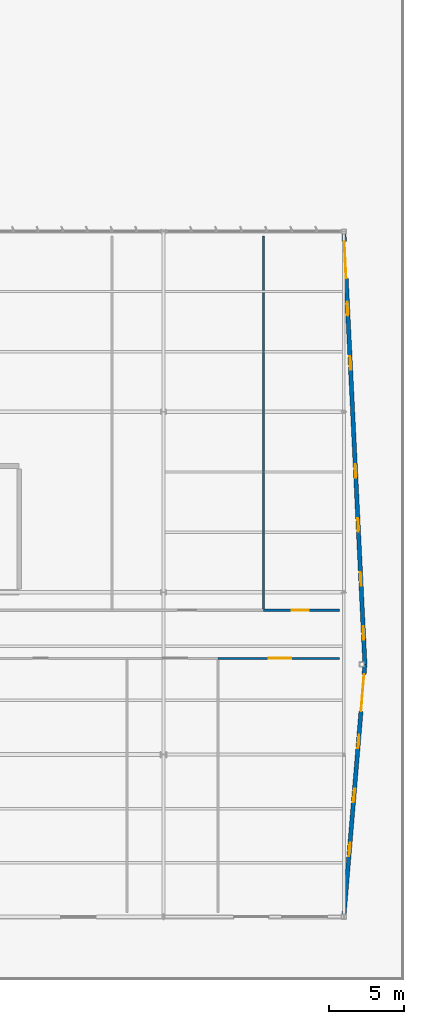
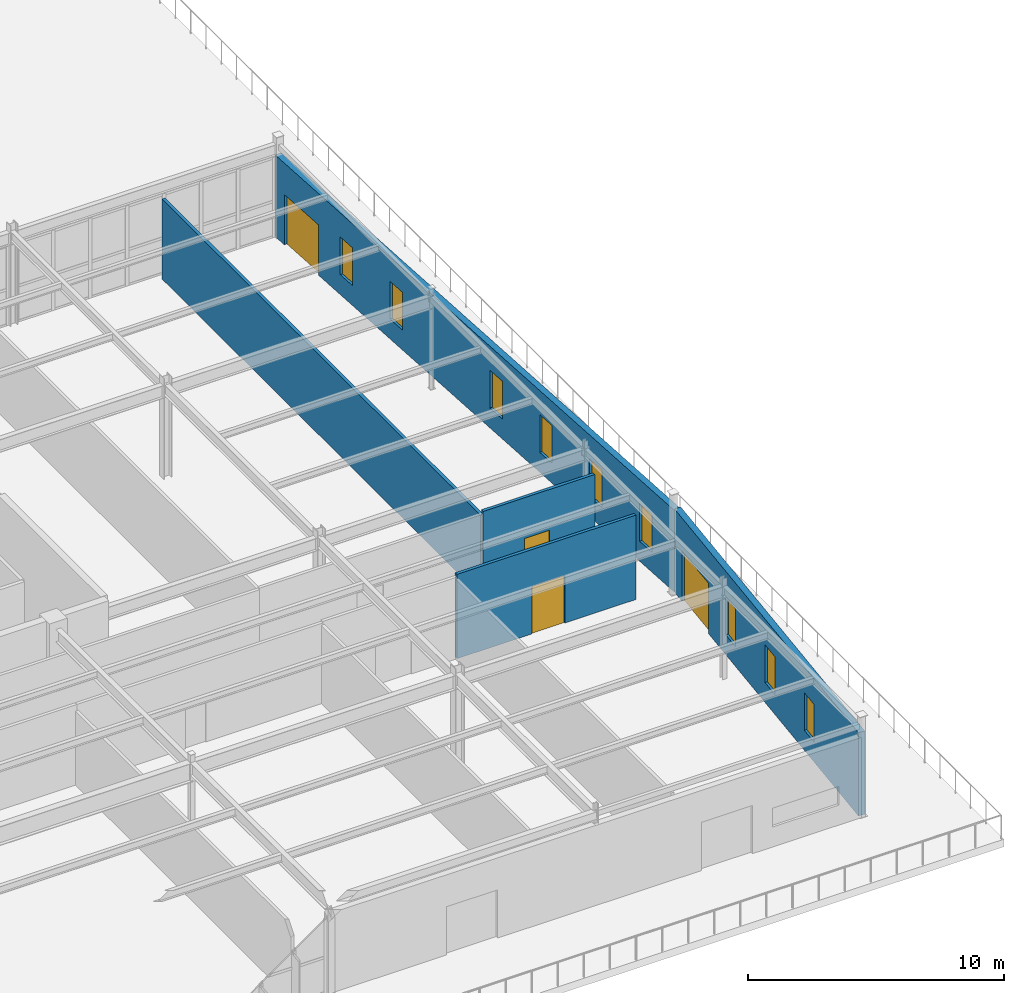
# One storey, part 169 of 199: 9 windows, 5 walls, 4 doors, 13 openings.
"""IFC4 building model written with IfcOpenShell, lengths in metres."""

from ifc_helpers import new_model, si_unit, direction, frame, frame_2d, origin, place, context, subcontext, project, spatial, rectangle, extrude, material, layer, layer_set, type_object, element, fill, save


model = new_model("IFC4")

# Units and contexts
model_context = context("Model", 3, precision=1e-05, world=origin(), true_north=direction((0.0, 1.0)))
body_context = subcontext(model_context, "Body", "Model", "MODEL_VIEW")
ifc_project = project(units=[si_unit("LENGTHUNIT", "METRE"), si_unit("AREAUNIT", "SQUARE_METRE"), si_unit("VOLUMEUNIT", "CUBIC_METRE"), si_unit("PLANEANGLEUNIT", "RADIAN"), si_unit("MASSUNIT", "GRAM", prefix="KILO")], contexts=[model_context])

# Site, building, storey
site_placement = place(None, origin())
site = spatial("IfcSite", under=ifc_project, at=site_placement, CompositionType="ELEMENT")
building_placement = place(site_placement, origin())
building = spatial("IfcBuilding", under=site, at=building_placement, Name="Tarnwether General Hospital", CompositionType="ELEMENT")
storey_placement = place(building_placement, origin())
storey = spatial("IfcBuildingStorey", under=building, at=storey_placement, Name="L00", CompositionType="ELEMENT", Elevation=0.0)

# Wall, openings, door, windows
ifc_material_1 = material(Name="Precast concrete 40 MPa", Category="concrete")
ifc_layer_1 = layer(ifc_material_1, 0.280029296875)
ifc_layer_set_1 = layer_set([ifc_layer_1], Name="Precast concrete 40 MPa")
wall_type_1 = type_object("IfcWallType", Name="WL-EX280", PredefinedType="STANDARD", material=ifc_layer_set_1)
wall_1_placement = place(storey_placement, frame((192.0, 45.60009765625, 0.0), z_axis=(0.0, 0.0, 1.0), x_axis=(0.048550316721, -0.998820738044, 0.0)))
wall_1 = element("IfcWall", 1, at=wall_1_placement, inside=storey, type_object=wall_type_1, Name="L00 Outpatient Splayed Shard Wall EW-L00-0290", PredefinedType="STANDARD", context=body_context, shape_type="SweptSolid", body=[
    extrude(rectangle(XDim=28.833984375, YDim=0.280029296875, at=frame_2d((14.4169921875, 0.0))), origin(), (0.0, 0.0, 1.0), 3.89697265625),
])
opening_1_placement = place(wall_1_placement, frame((0.673095703125, 0.0, 0.0)))
opening_1 = element("IfcOpeningElement", 2, at=opening_1_placement, cuts=wall_1, Name="Opening ED-01", PredefinedType="OPENING", context=body_context, shape_type="SweptSolid", body=[
    extrude(rectangle(XDim=2.4599609375, YDim=2.39990234375, at=frame_2d((1.22998046875, 1.199951171875))), frame((0.0, 0.14990234375, 0.0), z_axis=(0.0, -1.0, 0.0), x_axis=(1.0, 0.0, 0.0)), (0.0, 0.0, 1.0), 0.300048828125),
])
opening_2_placement = place(wall_1_placement, frame((4.699951171875, 0.0, 0.949951171875)))
opening_2 = element("IfcOpeningElement", 3, at=opening_2_placement, cuts=wall_1, Name="Opening W-21", PredefinedType="OPENING", context=body_context, shape_type="SweptSolid", body=[
    extrude(rectangle(XDim=0.89990234375, YDim=1.800048828125, at=frame_2d((0.449951171875, 0.89990234375))), frame((0.0, 0.14990234375, 0.0), z_axis=(0.0, -1.0, 0.0), x_axis=(1.0, 0.0, 0.0)), (0.0, 0.0, 1.0), 0.300048828125),
])
opening_3_placement = place(wall_1_placement, frame((8.300048828125, 0.0, 0.949951171875)))
opening_3 = element("IfcOpeningElement", 4, at=opening_3_placement, cuts=wall_1, Name="Opening W-21", PredefinedType="OPENING", context=body_context, shape_type="SweptSolid", body=[
    extrude(rectangle(XDim=0.89990234375, YDim=1.800048828125, at=frame_2d((0.449951171875, 0.89990234375))), frame((0.0, 0.14990234375, 0.0), z_axis=(0.0, -1.0, 0.0), x_axis=(1.0, 0.0, 0.0)), (0.0, 0.0, 1.0), 0.300048828125),
])
opening_4_placement = place(wall_1_placement, frame((15.5, 0.0, 0.949951171875)))
opening_4 = element("IfcOpeningElement", 5, at=opening_4_placement, cuts=wall_1, Name="Opening W-21", PredefinedType="OPENING", context=body_context, shape_type="SweptSolid", body=[
    extrude(rectangle(XDim=0.89990234375, YDim=1.800048828125, at=frame_2d((0.449951171875, 0.89990234375))), frame((0.0, 0.14990234375, 0.0), z_axis=(0.0, -1.0, 0.0), x_axis=(1.0, 0.0, 0.0)), (0.0, 0.0, 1.0), 0.300048828125),
])
opening_5_placement = place(wall_1_placement, frame((19.10009765625, 0.0, 0.949951171875)))
opening_5 = element("IfcOpeningElement", 6, at=opening_5_placement, cuts=wall_1, Name="Opening W-21", PredefinedType="OPENING", context=body_context, shape_type="SweptSolid", body=[
    extrude(rectangle(XDim=0.89990234375, YDim=1.800048828125, at=frame_2d((0.449951171875, 0.89990234375))), frame((0.0, 0.14990234375, 0.0), z_axis=(0.0, -1.0, 0.0), x_axis=(1.0, 0.0, 0.0)), (0.0, 0.0, 1.0), 0.300048828125),
])
opening_6_placement = place(wall_1_placement, frame((22.699951171875, 0.0, 0.949951171875)))
opening_6 = element("IfcOpeningElement", 7, at=opening_6_placement, cuts=wall_1, Name="Opening W-21", PredefinedType="OPENING", context=body_context, shape_type="SweptSolid", body=[
    extrude(rectangle(XDim=0.89990234375, YDim=1.800048828125, at=frame_2d((0.449951171875, 0.89990234375))), frame((0.0, 0.14990234375, 0.0), z_axis=(0.0, -1.0, 0.0), x_axis=(1.0, 0.0, 0.0)), (0.0, 0.0, 1.0), 0.300048828125),
])
opening_7_placement = place(wall_1_placement, frame((26.300048828125, 0.0, 0.949951171875)))
opening_7 = element("IfcOpeningElement", 8, at=opening_7_placement, cuts=wall_1, Name="Opening W-21", PredefinedType="OPENING", context=body_context, shape_type="SweptSolid", body=[
    extrude(rectangle(XDim=0.89990234375, YDim=1.800048828125, at=frame_2d((0.449951171875, 0.89990234375))), frame((0.0, 0.14990234375, 0.0), z_axis=(0.0, -1.0, 0.0), x_axis=(1.0, 0.0, 0.0)), (0.0, 0.0, 1.0), 0.300048828125),
])
ifc_material_2 = material(Name="Anodised aluminium", Category="aluminium")
door_type_1 = type_object("IfcDoorType", Name="DR-EX01", OperationType="NOTDEFINED", PredefinedType="DOOR", material=ifc_material_2)
door_1_placement = place(opening_1_placement, origin())
door_1 = element("IfcDoor", 9, at=door_1_placement, inside=storey, type_object=door_type_1, Name="L00 East Clinic Shard Exit South-A ED-L00-0021", OperationType="DOUBLE_DOOR_SINGLE_SWING", OverallHeight=2.39990234375, OverallWidth=2.4599609375, PredefinedType="DOOR", context=body_context, shape_type="SweptSolid", body=[
    extrude(rectangle(XDim=2.4599609375, YDim=2.39990234375, at=frame_2d((1.22998046875, 1.199951171875))), frame((0.0, 0.02490234375, 0.0), z_axis=(0.0, -1.0, 0.0), x_axis=(1.0, 0.0, 0.0)), (0.0, 0.0, 1.0), 0.050048828125),
])
fill(opening_1, door_1)
ifc_material_3 = material(Name="Double glazed low-E glass", Category="glass")
window_type = type_object("IfcWindowType", Name="WN-21", PartitioningType="SINGLE_PANEL", PredefinedType="WINDOW", material=ifc_material_3)
window_1_placement = place(opening_2_placement, origin())
window_1 = element("IfcWindow", 10, at=window_1_placement, inside=storey, type_object=window_type, Name="Window WN-L00-0059", OverallHeight=1.800048828125, OverallWidth=0.89990234375, PartitioningType="SINGLE_PANEL", PredefinedType="WINDOW", context=body_context, shape_type="SweptSolid", body=[
    extrude(rectangle(XDim=0.89990234375, YDim=1.800048828125, at=frame_2d((0.449951171875, 0.89990234375))), frame((0.0, 0.030029296875, 0.0), z_axis=(0.0, -1.0, 0.0), x_axis=(1.0, 0.0, 0.0)), (0.0, 0.0, 1.0), 0.06005859375),
])
fill(opening_2, window_1)
window_2_placement = place(opening_3_placement, origin())
window_2 = element("IfcWindow", 11, at=window_2_placement, inside=storey, type_object=window_type, Name="Window WN-L00-0060", OverallHeight=1.800048828125, OverallWidth=0.89990234375, PartitioningType="SINGLE_PANEL", PredefinedType="WINDOW", context=body_context, shape_type="SweptSolid", body=[
    extrude(rectangle(XDim=0.89990234375, YDim=1.800048828125, at=frame_2d((0.449951171875, 0.89990234375))), frame((0.0, 0.030029296875, 0.0), z_axis=(0.0, -1.0, 0.0), x_axis=(1.0, 0.0, 0.0)), (0.0, 0.0, 1.0), 0.06005859375),
])
fill(opening_3, window_2)
window_3_placement = place(opening_4_placement, origin())
window_3 = element("IfcWindow", 12, at=window_3_placement, inside=storey, type_object=window_type, Name="Window WN-L00-0061", OverallHeight=1.800048828125, OverallWidth=0.89990234375, PartitioningType="SINGLE_PANEL", PredefinedType="WINDOW", context=body_context, shape_type="SweptSolid", body=[
    extrude(rectangle(XDim=0.89990234375, YDim=1.800048828125, at=frame_2d((0.449951171875, 0.89990234375))), frame((0.0, 0.030029296875, 0.0), z_axis=(0.0, -1.0, 0.0), x_axis=(1.0, 0.0, 0.0)), (0.0, 0.0, 1.0), 0.06005859375),
])
fill(opening_4, window_3)
window_4_placement = place(opening_5_placement, origin())
window_4 = element("IfcWindow", 13, at=window_4_placement, inside=storey, type_object=window_type, Name="Window WN-L00-0062", OverallHeight=1.800048828125, OverallWidth=0.89990234375, PartitioningType="SINGLE_PANEL", PredefinedType="WINDOW", context=body_context, shape_type="SweptSolid", body=[
    extrude(rectangle(XDim=0.89990234375, YDim=1.800048828125, at=frame_2d((0.449951171875, 0.89990234375))), frame((0.0, 0.030029296875, 0.0), z_axis=(0.0, -1.0, 0.0), x_axis=(1.0, 0.0, 0.0)), (0.0, 0.0, 1.0), 0.06005859375),
])
fill(opening_5, window_4)
window_5_placement = place(opening_6_placement, origin())
window_5 = element("IfcWindow", 14, at=window_5_placement, inside=storey, type_object=window_type, Name="Window WN-L00-0063", OverallHeight=1.800048828125, OverallWidth=0.89990234375, PartitioningType="SINGLE_PANEL", PredefinedType="WINDOW", context=body_context, shape_type="SweptSolid", body=[
    extrude(rectangle(XDim=0.89990234375, YDim=1.800048828125, at=frame_2d((0.449951171875, 0.89990234375))), frame((0.0, 0.030029296875, 0.0), z_axis=(0.0, -1.0, 0.0), x_axis=(1.0, 0.0, 0.0)), (0.0, 0.0, 1.0), 0.06005859375),
])
fill(opening_6, window_5)
window_6_placement = place(opening_7_placement, origin())
window_6 = element("IfcWindow", 15, at=window_6_placement, inside=storey, type_object=window_type, Name="Window WN-L00-0064", OverallHeight=1.800048828125, OverallWidth=0.89990234375, PartitioningType="SINGLE_PANEL", PredefinedType="WINDOW", context=body_context, shape_type="SweptSolid", body=[
    extrude(rectangle(XDim=0.89990234375, YDim=1.800048828125, at=frame_2d((0.449951171875, 0.89990234375))), frame((0.0, 0.030029296875, 0.0), z_axis=(0.0, -1.0, 0.0), x_axis=(1.0, 0.0, 0.0)), (0.0, 0.0, 1.0), 0.06005859375),
])
fill(opening_7, window_6)

wall_2_placement = place(storey_placement, frame((193.39990234375, 16.800048828125, 0.0), z_axis=(0.0, 0.0, 1.0), x_axis=(-0.083039487322, -0.996546257604, 0.0)))
wall_2 = element("IfcWall", 16, at=wall_2_placement, inside=storey, type_object=wall_type_1, Name="L00 Outpatient Splayed Shard Wall EW-L00-0291", PredefinedType="STANDARD", context=body_context, shape_type="SweptSolid", body=[
    extrude(rectangle(XDim=16.858154296875, YDim=0.280029296875, at=frame_2d((8.42919921875, 0.0))), origin(), (0.0, 0.0, 1.0), 3.97607421875),
])
opening_8_placement = place(wall_2_placement, frame((0.673095703125, 0.0, 0.0)))
opening_8 = element("IfcOpeningElement", 17, at=opening_8_placement, cuts=wall_2, Name="Opening ED-01", PredefinedType="OPENING", context=body_context, shape_type="SweptSolid", body=[
    extrude(rectangle(XDim=2.4599609375, YDim=2.39990234375, at=frame_2d((1.22998046875, 1.199951171875))), frame((0.0, 0.14990234375, 0.0), z_axis=(0.0, -1.0, 0.0), x_axis=(1.0, 0.0, 0.0)), (0.0, 0.0, 1.0), 0.300048828125),
])
opening_9_placement = place(wall_2_placement, frame((4.699951171875, 0.0, 0.949951171875)))
opening_9 = element("IfcOpeningElement", 18, at=opening_9_placement, cuts=wall_2, Name="Opening W-21", PredefinedType="OPENING", context=body_context, shape_type="SweptSolid", body=[
    extrude(rectangle(XDim=0.89990234375, YDim=1.800048828125, at=frame_2d((0.449951171875, 0.89990234375))), frame((0.0, 0.14990234375, 0.0), z_axis=(0.0, -1.0, 0.0), x_axis=(1.0, 0.0, 0.0)), (0.0, 0.0, 1.0), 0.300048828125),
])
opening_10_placement = place(wall_2_placement, frame((8.300048828125, 0.0, 0.949951171875)))
opening_10 = element("IfcOpeningElement", 19, at=opening_10_placement, cuts=wall_2, Name="Opening W-21", PredefinedType="OPENING", context=body_context, shape_type="SweptSolid", body=[
    extrude(rectangle(XDim=0.89990234375, YDim=1.800048828125, at=frame_2d((0.449951171875, 0.89990234375))), frame((0.0, 0.14990234375, 0.0), z_axis=(0.0, -1.0, 0.0), x_axis=(1.0, 0.0, 0.0)), (0.0, 0.0, 1.0), 0.300048828125),
])
opening_11_placement = place(wall_2_placement, frame((11.89990234375, 0.0, 0.949951171875)))
opening_11 = element("IfcOpeningElement", 20, at=opening_11_placement, cuts=wall_2, Name="Opening W-21", PredefinedType="OPENING", context=body_context, shape_type="SweptSolid", body=[
    extrude(rectangle(XDim=0.89990234375, YDim=1.800048828125, at=frame_2d((0.449951171875, 0.89990234375))), frame((0.0, 0.14990234375, 0.0), z_axis=(0.0, -1.0, 0.0), x_axis=(1.0, 0.0, 0.0)), (0.0, 0.0, 1.0), 0.300048828125),
])
door_2_placement = place(opening_8_placement, origin())
door_2 = element("IfcDoor", 21, at=door_2_placement, inside=storey, type_object=door_type_1, Name="L00 East Clinic Shard Exit South-B ED-L00-0022", OperationType="DOUBLE_DOOR_SINGLE_SWING", OverallHeight=2.39990234375, OverallWidth=2.4599609375, PredefinedType="DOOR", context=body_context, shape_type="SweptSolid", body=[
    extrude(rectangle(XDim=2.4599609375, YDim=2.39990234375, at=frame_2d((1.22998046875, 1.199951171875))), frame((0.0, 0.02490234375, 0.0), z_axis=(0.0, -1.0, 0.0), x_axis=(1.0, 0.0, 0.0)), (0.0, 0.0, 1.0), 0.050048828125),
])
fill(opening_8, door_2)
window_7_placement = place(opening_9_placement, origin())
window_7 = element("IfcWindow", 22, at=window_7_placement, inside=storey, type_object=window_type, Name="Window WN-L00-0065", OverallHeight=1.800048828125, OverallWidth=0.89990234375, PartitioningType="SINGLE_PANEL", PredefinedType="WINDOW", context=body_context, shape_type="SweptSolid", body=[
    extrude(rectangle(XDim=0.89990234375, YDim=1.800048828125, at=frame_2d((0.449951171875, 0.89990234375))), frame((0.0, 0.030029296875, 0.0), z_axis=(0.0, -1.0, 0.0), x_axis=(1.0, 0.0, 0.0)), (0.0, 0.0, 1.0), 0.06005859375),
])
fill(opening_9, window_7)
window_8_placement = place(opening_10_placement, origin())
window_8 = element("IfcWindow", 23, at=window_8_placement, inside=storey, type_object=window_type, Name="Window WN-L00-0066", OverallHeight=1.800048828125, OverallWidth=0.89990234375, PartitioningType="SINGLE_PANEL", PredefinedType="WINDOW", context=body_context, shape_type="SweptSolid", body=[
    extrude(rectangle(XDim=0.89990234375, YDim=1.800048828125, at=frame_2d((0.449951171875, 0.89990234375))), frame((0.0, 0.030029296875, 0.0), z_axis=(0.0, -1.0, 0.0), x_axis=(1.0, 0.0, 0.0)), (0.0, 0.0, 1.0), 0.06005859375),
])
fill(opening_10, window_8)
window_9_placement = place(opening_11_placement, origin())
window_9 = element("IfcWindow", 24, at=window_9_placement, inside=storey, type_object=window_type, Name="Window WN-L00-0067", OverallHeight=1.800048828125, OverallWidth=0.89990234375, PartitioningType="SINGLE_PANEL", PredefinedType="WINDOW", context=body_context, shape_type="SweptSolid", body=[
    extrude(rectangle(XDim=0.89990234375, YDim=1.800048828125, at=frame_2d((0.449951171875, 0.89990234375))), frame((0.0, 0.030029296875, 0.0), z_axis=(0.0, -1.0, 0.0), x_axis=(1.0, 0.0, 0.0)), (0.0, 0.0, 1.0), 0.06005859375),
])
fill(opening_11, window_9)

# Wall, opening, door
ifc_material_4 = material(Name="Gypsum plasterboard")
ifc_layer_2 = layer(ifc_material_4, 0.139892578125)
ifc_layer_set_2 = layer_set([ifc_layer_2], Name="Gypsum plasterboard")
wall_type_2 = type_object("IfcWallType", Name="WL-PT140", PredefinedType="PARTITIONING", material=ifc_layer_set_2)
wall_3_placement = place(storey_placement, frame((183.632080078125, 17.199951171875, 0.0), z_axis=(0.0, 0.0, 1.0), x_axis=(1.0, 0.0, 0.0)))
wall_3 = element("IfcWall", 25, at=wall_3_placement, inside=storey, type_object=wall_type_2, Name="Interior Partition PT-L00-0138", PredefinedType="PARTITIONING", context=body_context, shape_type="SweptSolid", body=[
    extrude(rectangle(XDim=8.06787109375, YDim=0.139892578125, at=frame_2d((4.033935546875, 0.0))), origin(), (0.0, 0.0, 1.0), 4.027099609375),
])
opening_12_placement = place(wall_3_placement, frame((3.384033203125, 0.0, 0.0)))
opening_12 = element("IfcOpeningElement", 26, at=opening_12_placement, cuts=wall_3, Name="Opening SD-03", PredefinedType="OPENING", context=body_context, shape_type="SweptSolid", body=[
    extrude(rectangle(XDim=1.47998046875, YDim=2.260009765625, at=frame_2d((0.739990234375, 1.1298828125))), frame((0.0, 0.080078125, 0.0), z_axis=(0.0, -1.0, 0.0), x_axis=(1.0, 0.0, 0.0)), (0.0, 0.0, 1.0), 0.159912109375),
])
ifc_material_5 = material(Name="Anodised aluminium", Category="aluminium")
door_type_2 = type_object("IfcDoorType", Name="DR-OR03", OperationType="NOTDEFINED", PredefinedType="DOOR", material=ifc_material_5)
door_3_placement = place(opening_12_placement, origin())
door_3 = element("IfcDoor", 27, at=door_3_placement, inside=storey, type_object=door_type_2, Name="Interior Door DR-L00-0077", OperationType="SLIDING_TO_LEFT", OverallHeight=2.260009765625, OverallWidth=1.47998046875, PredefinedType="DOOR", context=body_context, shape_type="SweptSolid", body=[
    extrude(rectangle(XDim=1.47998046875, YDim=2.260009765625, at=frame_2d((0.739990234375, 1.1298828125))), frame((0.0, 0.02490234375, 0.0), z_axis=(0.0, -1.0, 0.0), x_axis=(1.0, 0.0, 0.0)), (0.0, 0.0, 1.0), 0.050048828125),
])
fill(opening_12, door_3)

# Wall
wall_4_placement = place(storey_placement, frame((186.656982421875, 20.39990234375, 0.0), z_axis=(0.0, 0.0, 1.0), x_axis=(0.0, 1.0, 0.0)))
element("IfcWall", 28, at=wall_4_placement, inside=storey, type_object=wall_type_2, Name="Interior Partition PT-L00-0144", PredefinedType="PARTITIONING", context=body_context, shape_type="SweptSolid", body=[
    extrude(rectangle(XDim=24.900146484375, YDim=0.139892578125, at=frame_2d((12.4501953125, 0.0))), origin(), (0.0, 0.0, 1.0), 3.822998046875),
])

# Wall, opening, door
wall_5_placement = place(storey_placement, frame((186.656982421875, 20.39990234375, 0.0), z_axis=(0.0, 0.0, 1.0), x_axis=(1.0, 0.0, 0.0)))
wall_5 = element("IfcWall", 29, at=wall_5_placement, inside=storey, type_object=wall_type_2, Name="Interior Partition PT-L00-0145", PredefinedType="PARTITIONING", context=body_context, shape_type="SweptSolid", body=[
    extrude(rectangle(XDim=5.04296875, YDim=0.139892578125, at=frame_2d((2.521484375, 0.0))), origin(), (0.0, 0.0, 1.0), 4.027099609375),
])
opening_13_placement = place(wall_5_placement, frame((1.87109375, 0.0, 0.0)))
opening_13 = element("IfcOpeningElement", 30, at=opening_13_placement, cuts=wall_5, Name="Opening D-07", PredefinedType="OPENING", context=body_context, shape_type="SweptSolid", body=[
    extrude(rectangle(XDim=1.1201171875, YDim=2.080078125, at=frame_2d((0.56005859375, 1.0400390625))), frame((0.0, 0.080078125, 0.0), z_axis=(0.0, -1.0, 0.0), x_axis=(1.0, 0.0, 0.0)), (0.0, 0.0, 1.0), 0.159912109375),
])
ifc_material_6 = material(Name="Anodised aluminium", Category="aluminium")
door_type_3 = type_object("IfcDoorType", Name="DR-IN07", OperationType="NOTDEFINED", PredefinedType="DOOR", material=ifc_material_6)
door_4_placement = place(opening_13_placement, origin())
door_4 = element("IfcDoor", 31, at=door_4_placement, inside=storey, type_object=door_type_3, Name="Interior Door DR-L00-0081", OperationType="SINGLE_SWING_LEFT", OverallHeight=2.080078125, OverallWidth=1.1201171875, PredefinedType="DOOR", context=body_context, shape_type="SweptSolid", body=[
    extrude(rectangle(XDim=1.1201171875, YDim=2.080078125, at=frame_2d((0.56005859375, 1.0400390625))), frame((0.0, 0.02490234375, 0.0), z_axis=(0.0, -1.0, 0.0), x_axis=(1.0, 0.0, 0.0)), (0.0, 0.0, 1.0), 0.050048828125),
])
fill(opening_13, door_4)

save(model, "model.ifc")
